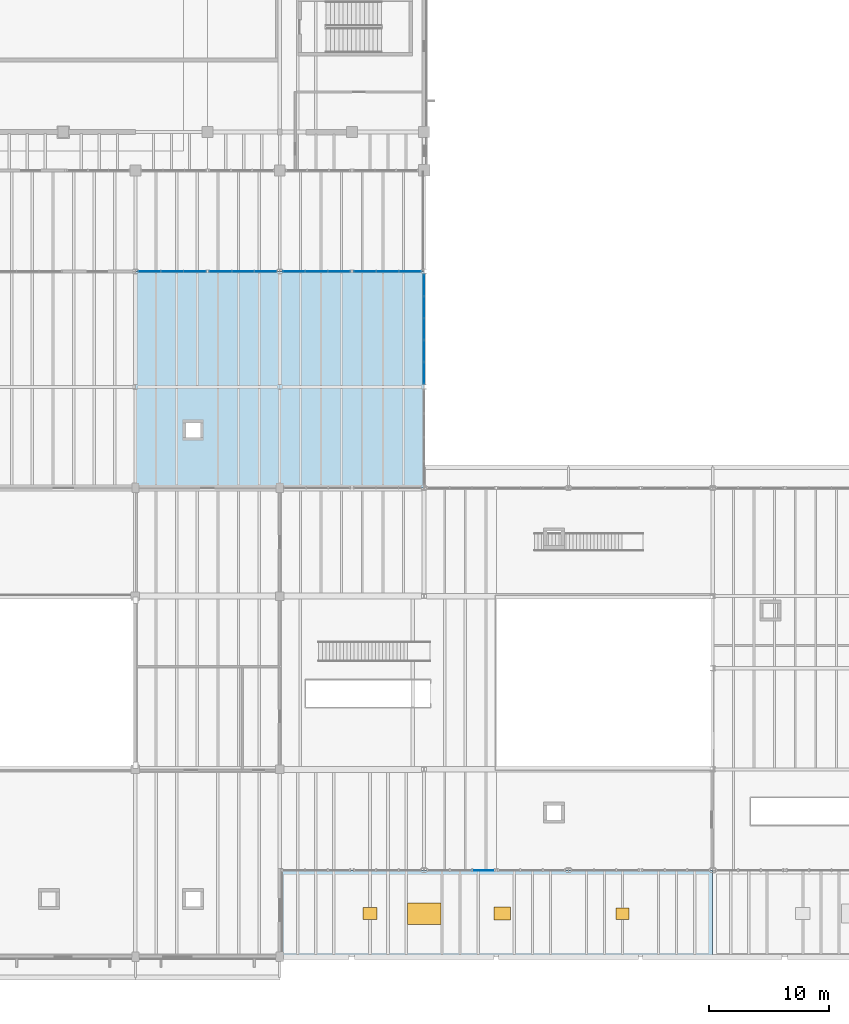
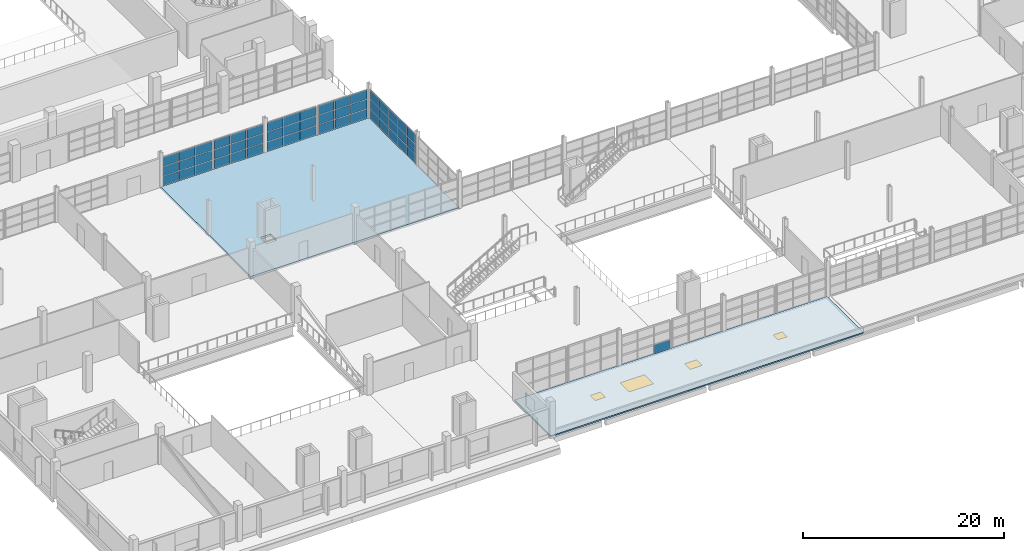
# One storey, part 77 of 114: 52 plates, 3 doors, 2 slabs, 1 window, 4 openings, 6 elements without a shape of their own.
"""IFC4 building model written with IfcOpenShell, lengths in metres."""

from ifc_helpers import new_model, si_unit, direction, frame, origin, origin_2d, place, context, subcontext, project, spatial, polyline, rectangle, outline, extrude, material, layer, layer_set, type_object, element, fill, aggregate, save


model = new_model("IFC4")

# Units and contexts
model_context = context("Model", 3, precision=1e-05, world=origin(), true_north=direction((0.0, 1.0)))
body_context = subcontext(model_context, "Body", "Model", "MODEL_VIEW")
ifc_project = project(units=[si_unit("LENGTHUNIT", "METRE"), si_unit("AREAUNIT", "SQUARE_METRE"), si_unit("VOLUMEUNIT", "CUBIC_METRE"), si_unit("PLANEANGLEUNIT", "RADIAN"), si_unit("MASSUNIT", "GRAM", prefix="KILO")], contexts=[model_context])

# Site, building, storey
site_placement = place(None, origin())
site = spatial("IfcSite", under=ifc_project, at=site_placement, CompositionType="ELEMENT")
building_placement = place(site_placement, origin())
building = spatial("IfcBuilding", under=site, at=building_placement, Name="Kelmvaro Bay Concert Hall", CompositionType="ELEMENT")
storey_placement = place(building_placement, frame((0.0, 0.0, 4.800048828125)))
storey = spatial("IfcBuildingStorey", under=building, at=storey_placement, Name="L01", CompositionType="ELEMENT", Elevation=4.800048828125)

# Slab, openings, doors, window
ifc_material_1 = material(Name="Concrete C40/50", Category="concrete")
ifc_layer_1 = layer(ifc_material_1, 0.169921875)
ifc_layer_set_1 = layer_set([ifc_layer_1], Name="Concrete C40/50")
slab_type_1 = type_object("IfcSlabType", Name="Colonnade Canopy Roof Slab 170", PredefinedType="ROOF", material=ifc_layer_set_1)
slab_1_placement = place(storey_placement, frame((0.0, 0.0, -0.110107421875)))
slab_1 = element("IfcSlab", 1, at=slab_1_placement, inside=storey, type_object=slab_type_1, Name="L01 Roof Slab CN-RW1", PredefinedType="ROOF", context=body_context, shape_type="SweptSolid", body=[
    extrude(outline(polyline([(48.0, 0.0), (84.0, 0.0), (84.0, 7.199951171875), (48.0, 7.199951171875), (48.0, 0.0)])), origin(), (0.0, 0.0, 1.0), 0.170166015625),
])
opening_1_placement = place(slab_1_placement, frame((60.0, 3.60009765625, 0.0)))
opening_1 = element("IfcOpeningElement", 2, at=opening_1_placement, cuts=slab_1, Name="Opening SK-02", PredefinedType="OPENING", context=body_context, shape_type="SweptSolid", body=[
    extrude(rectangle(XDim=2.800048828125, YDim=1.800048828125, at=origin_2d()), origin(), (0.0, 0.0, 1.0), 0.170166015625),
])
opening_2_placement = place(slab_1_placement, frame((55.5, 3.60009765625, 0.0)))
opening_2 = element("IfcOpeningElement", 3, at=opening_2_placement, cuts=slab_1, Name="Opening RH-01", PredefinedType="OPENING", context=body_context, shape_type="SweptSolid", body=[
    extrude(rectangle(XDim=1.199951171875, YDim=1.0, at=origin_2d()), origin(), (0.0, 0.0, 1.0), 0.170166015625),
])
opening_3_placement = place(slab_1_placement, frame((66.5, 3.60009765625, 0.0)))
opening_3 = element("IfcOpeningElement", 4, at=opening_3_placement, cuts=slab_1, Name="Opening RH-02", PredefinedType="OPENING", context=body_context, shape_type="SweptSolid", body=[
    extrude(rectangle(XDim=1.39990234375, YDim=1.10009765625, at=origin_2d()), origin(), (0.0, 0.0, 1.0), 0.170166015625),
])
opening_4_placement = place(slab_1_placement, frame((76.5, 3.60009765625, 0.0)))
opening_4 = element("IfcOpeningElement", 5, at=opening_4_placement, cuts=slab_1, Name="Opening RH-03", PredefinedType="OPENING", context=body_context, shape_type="SweptSolid", body=[
    extrude(rectangle(XDim=1.050048828125, YDim=0.949951171875, at=origin_2d()), origin(), (0.0, 0.0, 1.0), 0.170166015625),
])
ifc_material_2 = material(Name="Insulated Powder-Coated Aluminium", Category="aluminium")
door_type_1 = type_object("IfcDoorType", Name="Canopy Inspection Roof Hatch 1050x950", OperationType="NOTDEFINED", PredefinedType="TRAPDOOR", material=ifc_material_2)
door_1_placement = place(opening_4_placement, frame((0.0, 0.0, 0.1201171875)))
door_1 = element("IfcDoor", 6, at=door_1_placement, inside=storey, type_object=door_type_1, Name="L01 Roof Access Hatch 03", OperationType="SINGLE_SWING_LEFT", OverallHeight=0.949951171875, OverallWidth=1.050048828125, PredefinedType="TRAPDOOR", context=body_context, shape_type="SweptSolid", body=[
    extrude(rectangle(XDim=1.050048828125, YDim=0.949951171875, at=origin_2d()), origin(), (0.0, 0.0, 1.0), 0.050048828125),
])
fill(opening_4, door_1)
ifc_material_3 = material(Name="Hurricane Laminated Insulated Skylight Glazing", Category="glass")
window_type = type_object("IfcWindowType", Name="Concourse Lantern Skylight 2800x1800", PartitioningType="SINGLE_PANEL", PredefinedType="SKYLIGHT", material=ifc_material_3)
window_placement = place(opening_1_placement, frame((0.0, 0.0, 0.1201171875)))
window = element("IfcWindow", 7, at=window_placement, inside=storey, type_object=window_type, Name="L01 Roof Skylight 10", OverallHeight=1.800048828125, OverallWidth=2.800048828125, PartitioningType="SINGLE_PANEL", PredefinedType="SKYLIGHT", context=body_context, shape_type="SweptSolid", body=[
    extrude(rectangle(XDim=2.800048828125, YDim=1.800048828125, at=origin_2d()), origin(), (0.0, 0.0, 1.0), 0.050048828125),
])
fill(opening_1, window)
ifc_material_4 = material(Name="Insulated Powder-Coated Aluminium", Category="aluminium")
door_type_2 = type_object("IfcDoorType", Name="Insulated Roof Maintenance Hatch 1200x1000", OperationType="NOTDEFINED", PredefinedType="TRAPDOOR", material=ifc_material_4)
door_2_placement = place(opening_2_placement, frame((0.0, 0.0, 0.1201171875)))
door_2 = element("IfcDoor", 8, at=door_2_placement, inside=storey, type_object=door_type_2, Name="L01 Roof Access Hatch 01", OperationType="SINGLE_SWING_LEFT", OverallHeight=1.0, OverallWidth=1.199951171875, PredefinedType="TRAPDOOR", context=body_context, shape_type="SweptSolid", body=[
    extrude(rectangle(XDim=1.199951171875, YDim=1.0, at=origin_2d()), origin(), (0.0, 0.0, 1.0), 0.050048828125),
])
fill(opening_2, door_2)
ifc_material_5 = material(Name="Insulated Powder-Coated Aluminium", Category="aluminium")
door_type_3 = type_object("IfcDoorType", Name="Smoke Vent and Roof Access Hatch 1400x1100", OperationType="NOTDEFINED", PredefinedType="TRAPDOOR", material=ifc_material_5)
door_3_placement = place(opening_3_placement, frame((0.0, 0.0, 0.1201171875)))
door_3 = element("IfcDoor", 9, at=door_3_placement, inside=storey, type_object=door_type_3, Name="L01 Roof Access Hatch 02", OperationType="SINGLE_SWING_LEFT", OverallHeight=1.10009765625, OverallWidth=1.39990234375, PredefinedType="TRAPDOOR", context=body_context, shape_type="SweptSolid", body=[
    extrude(rectangle(XDim=1.39990234375, YDim=1.10009765625, at=origin_2d()), origin(), (0.0, 0.0, 1.0), 0.050048828125),
])
fill(opening_3, door_3)

# Curtain wall, plates
ifc_material_6 = material(Name="Anodised Aluminium and Low-E Insulated Glazing", Category="aluminium")
curtain_wall_type_1 = type_object("IfcCurtainWallType", Name="West Link Courtyard Curtain Wall 4000", PredefinedType="USERDEFINED", material=ifc_material_6)
curtain_wall_1_placement = place(storey_placement, origin())
curtain_wall_1 = element("IfcCurtainWall", 10, at=curtain_wall_1_placement, inside=storey, type_object=curtain_wall_type_1, Name="Unitised Curtain Wall CW-L01-131", ObjectType="UNITISED GLAZING", PredefinedType="USERDEFINED")
ifc_material_7 = material(Name="Laminated Low-E Insulated Glass", Category="glass")
ifc_layer_2 = layer(ifc_material_7, 1.85009765625)
ifc_layer_set_2 = layer_set([ifc_layer_2], Name="Laminated Low-E Insulated Glass")
plate_type_1 = type_object("IfcPlateType", Name="Curtain Glazing Panel Low-E 32", PredefinedType="CURTAIN_PANEL", material=ifc_layer_set_2)
plate_1_placement = place(storey_placement, frame((60.0, 55.8466796875, 0.0322265625), z_axis=(0.0, 0.0, 1.0), x_axis=(0.0, -1.0, 0.0)))
plate_1 = element("IfcPlate", 11, at=plate_1_placement, type_object=plate_type_1, Name="CW-L01-131 Insulated Glazing Panel 01-1", PredefinedType="CURTAIN_PANEL", context=body_context, shape_type="SweptSolid", body=[
    extrude(rectangle(XDim=1.75830078125, YDim=0.031982421875, at=origin_2d()), origin(), (0.0, 0.0, 1.0), 1.144775390625),
])
plate_2_placement = place(storey_placement, frame((60.0, 55.8466796875, 1.2421875), z_axis=(0.0, 0.0, 1.0), x_axis=(0.0, -1.0, 0.0)))
plate_2 = element("IfcPlate", 12, at=plate_2_placement, type_object=plate_type_1, Name="CW-L01-131 Insulated Glazing Panel 01-2", PredefinedType="CURTAIN_PANEL", context=body_context, shape_type="SweptSolid", body=[
    extrude(rectangle(XDim=1.75830078125, YDim=0.031982421875, at=origin_2d()), origin(), (0.0, 0.0, 1.0), 1.14453125),
])
plate_3_placement = place(storey_placement, frame((60.0, 55.8466796875, 2.45166015625), z_axis=(0.0, 0.0, 1.0), x_axis=(0.0, -1.0, 0.0)))
plate_3 = element("IfcPlate", 13, at=plate_3_placement, type_object=plate_type_1, Name="CW-L01-131 Insulated Glazing Panel 01-3", PredefinedType="CURTAIN_PANEL", context=body_context, shape_type="SweptSolid", body=[
    extrude(rectangle(XDim=1.75830078125, YDim=0.031982421875, at=origin_2d()), origin(), (0.0, 0.0, 1.0), 1.144775390625),
])
plate_4_placement = place(storey_placement, frame((60.0, 54.0234375, 0.0322265625), z_axis=(0.0, 0.0, 1.0), x_axis=(0.0, -1.0, 0.0)))
plate_4 = element("IfcPlate", 14, at=plate_4_placement, type_object=plate_type_1, Name="CW-L01-131 Insulated Glazing Panel 02-1", PredefinedType="CURTAIN_PANEL", context=body_context, shape_type="SweptSolid", body=[
    extrude(rectangle(XDim=1.75830078125, YDim=0.031982421875, at=origin_2d()), origin(), (0.0, 0.0, 1.0), 1.144775390625),
])
plate_5_placement = place(storey_placement, frame((60.0, 54.0234375, 1.2421875), z_axis=(0.0, 0.0, 1.0), x_axis=(0.0, -1.0, 0.0)))
plate_5 = element("IfcPlate", 15, at=plate_5_placement, type_object=plate_type_1, Name="CW-L01-131 Insulated Glazing Panel 02-2", PredefinedType="CURTAIN_PANEL", context=body_context, shape_type="SweptSolid", body=[
    extrude(rectangle(XDim=1.75830078125, YDim=0.031982421875, at=origin_2d()), origin(), (0.0, 0.0, 1.0), 1.14453125),
])
plate_6_placement = place(storey_placement, frame((60.0, 54.0234375, 2.45166015625), z_axis=(0.0, 0.0, 1.0), x_axis=(0.0, -1.0, 0.0)))
plate_6 = element("IfcPlate", 16, at=plate_6_placement, type_object=plate_type_1, Name="CW-L01-131 Insulated Glazing Panel 02-3", PredefinedType="CURTAIN_PANEL", context=body_context, shape_type="SweptSolid", body=[
    extrude(rectangle(XDim=1.75830078125, YDim=0.031982421875, at=origin_2d()), origin(), (0.0, 0.0, 1.0), 1.144775390625),
])
plate_7_placement = place(storey_placement, frame((60.0, 52.199951171875, 0.0322265625), z_axis=(0.0, 0.0, 1.0), x_axis=(0.0, -1.0, 0.0)))
plate_7 = element("IfcPlate", 17, at=plate_7_placement, type_object=plate_type_1, Name="CW-L01-131 Insulated Glazing Panel 03-1", PredefinedType="CURTAIN_PANEL", context=body_context, shape_type="SweptSolid", body=[
    extrude(rectangle(XDim=1.75830078125, YDim=0.031982421875, at=origin_2d()), origin(), (0.0, 0.0, 1.0), 1.144775390625),
])
plate_8_placement = place(storey_placement, frame((60.0, 52.199951171875, 1.2421875), z_axis=(0.0, 0.0, 1.0), x_axis=(0.0, -1.0, 0.0)))
plate_8 = element("IfcPlate", 18, at=plate_8_placement, type_object=plate_type_1, Name="CW-L01-131 Insulated Glazing Panel 03-2", PredefinedType="CURTAIN_PANEL", context=body_context, shape_type="SweptSolid", body=[
    extrude(rectangle(XDim=1.75830078125, YDim=0.031982421875, at=origin_2d()), origin(), (0.0, 0.0, 1.0), 1.14453125),
])
plate_9_placement = place(storey_placement, frame((60.0, 52.199951171875, 2.45166015625), z_axis=(0.0, 0.0, 1.0), x_axis=(0.0, -1.0, 0.0)))
plate_9 = element("IfcPlate", 19, at=plate_9_placement, type_object=plate_type_1, Name="CW-L01-131 Insulated Glazing Panel 03-3", PredefinedType="CURTAIN_PANEL", context=body_context, shape_type="SweptSolid", body=[
    extrude(rectangle(XDim=1.75830078125, YDim=0.031982421875, at=origin_2d()), origin(), (0.0, 0.0, 1.0), 1.144775390625),
])
plate_10_placement = place(storey_placement, frame((60.0, 50.376708984375, 0.0322265625), z_axis=(0.0, 0.0, 1.0), x_axis=(0.0, -1.0, 0.0)))
plate_10 = element("IfcPlate", 20, at=plate_10_placement, type_object=plate_type_1, Name="CW-L01-131 Insulated Glazing Panel 04-1", PredefinedType="CURTAIN_PANEL", context=body_context, shape_type="SweptSolid", body=[
    extrude(rectangle(XDim=1.75830078125, YDim=0.031982421875, at=origin_2d()), origin(), (0.0, 0.0, 1.0), 1.144775390625),
])
plate_11_placement = place(storey_placement, frame((60.0, 50.376708984375, 1.2421875), z_axis=(0.0, 0.0, 1.0), x_axis=(0.0, -1.0, 0.0)))
plate_11 = element("IfcPlate", 21, at=plate_11_placement, type_object=plate_type_1, Name="CW-L01-131 Insulated Glazing Panel 04-2", PredefinedType="CURTAIN_PANEL", context=body_context, shape_type="SweptSolid", body=[
    extrude(rectangle(XDim=1.75830078125, YDim=0.031982421875, at=origin_2d()), origin(), (0.0, 0.0, 1.0), 1.14453125),
])
plate_12_placement = place(storey_placement, frame((60.0, 50.376708984375, 2.45166015625), z_axis=(0.0, 0.0, 1.0), x_axis=(0.0, -1.0, 0.0)))
plate_12 = element("IfcPlate", 22, at=plate_12_placement, type_object=plate_type_1, Name="CW-L01-131 Insulated Glazing Panel 04-3", PredefinedType="CURTAIN_PANEL", context=body_context, shape_type="SweptSolid", body=[
    extrude(rectangle(XDim=1.75830078125, YDim=0.031982421875, at=origin_2d()), origin(), (0.0, 0.0, 1.0), 1.144775390625),
])
plate_13_placement = place(storey_placement, frame((60.0, 48.55322265625, 0.0322265625), z_axis=(0.0, 0.0, 1.0), x_axis=(0.0, -1.0, 0.0)))
plate_13 = element("IfcPlate", 23, at=plate_13_placement, type_object=plate_type_1, Name="CW-L01-131 Insulated Glazing Panel 05-1", PredefinedType="CURTAIN_PANEL", context=body_context, shape_type="SweptSolid", body=[
    extrude(rectangle(XDim=1.75830078125, YDim=0.031982421875, at=origin_2d()), origin(), (0.0, 0.0, 1.0), 1.144775390625),
])
plate_14_placement = place(storey_placement, frame((60.0, 48.55322265625, 1.2421875), z_axis=(0.0, 0.0, 1.0), x_axis=(0.0, -1.0, 0.0)))
plate_14 = element("IfcPlate", 24, at=plate_14_placement, type_object=plate_type_1, Name="CW-L01-131 Insulated Glazing Panel 05-2", PredefinedType="CURTAIN_PANEL", context=body_context, shape_type="SweptSolid", body=[
    extrude(rectangle(XDim=1.75830078125, YDim=0.031982421875, at=origin_2d()), origin(), (0.0, 0.0, 1.0), 1.14453125),
])
plate_15_placement = place(storey_placement, frame((60.0, 48.55322265625, 2.45166015625), z_axis=(0.0, 0.0, 1.0), x_axis=(0.0, -1.0, 0.0)))
plate_15 = element("IfcPlate", 25, at=plate_15_placement, type_object=plate_type_1, Name="CW-L01-131 Insulated Glazing Panel 05-3", PredefinedType="CURTAIN_PANEL", context=body_context, shape_type="SweptSolid", body=[
    extrude(rectangle(XDim=1.75830078125, YDim=0.031982421875, at=origin_2d()), origin(), (0.0, 0.0, 1.0), 1.144775390625),
])
aggregate(curtain_wall_1, [plate_1, plate_2, plate_3, plate_4, plate_5, plate_6, plate_7, plate_8, plate_9, plate_10, plate_11, plate_12, plate_13, plate_14, plate_15])

curtain_wall_2_placement = place(storey_placement, origin())
curtain_wall_2 = element("IfcCurtainWall", 26, at=curtain_wall_2_placement, inside=storey, type_object=curtain_wall_type_1, Name="Unitised Curtain Wall CW-L01-138", ObjectType="UNITISED GLAZING", PredefinedType="USERDEFINED")
plate_16_placement = place(storey_placement, frame((37.177978515625, 57.0, 0.032470703125), z_axis=(0.0, 0.0, 1.0), x_axis=(1.0, 0.0, 0.0)))
plate_16 = element("IfcPlate", 27, at=plate_16_placement, type_object=plate_type_1, Name="CW-L01-138 Insulated Glazing Panel 01-1", PredefinedType="CURTAIN_PANEL", context=body_context, shape_type="SweptSolid", body=[
    extrude(rectangle(XDim=1.807861328125, YDim=0.031982421875, at=origin_2d()), origin(), (0.0, 0.0, 1.0), 1.1171875),
])
plate_17_placement = place(storey_placement, frame((37.177978515625, 57.0, 1.21484375), z_axis=(0.0, 0.0, 1.0), x_axis=(1.0, 0.0, 0.0)))
plate_17 = element("IfcPlate", 28, at=plate_17_placement, type_object=plate_type_1, Name="CW-L01-138 Insulated Glazing Panel 01-2", PredefinedType="CURTAIN_PANEL", context=body_context, shape_type="SweptSolid", body=[
    extrude(rectangle(XDim=1.807861328125, YDim=0.031982421875, at=origin_2d()), origin(), (0.0, 0.0, 1.0), 1.117431640625),
])
plate_18_placement = place(storey_placement, frame((37.177978515625, 57.0, 2.397216796875), z_axis=(0.0, 0.0, 1.0), x_axis=(1.0, 0.0, 0.0)))
plate_18 = element("IfcPlate", 29, at=plate_18_placement, type_object=plate_type_1, Name="CW-L01-138 Insulated Glazing Panel 01-3", PredefinedType="CURTAIN_PANEL", context=body_context, shape_type="SweptSolid", body=[
    extrude(rectangle(XDim=1.807861328125, YDim=0.031982421875, at=origin_2d()), origin(), (0.0, 0.0, 1.0), 1.1171875),
])
plate_19_placement = place(storey_placement, frame((39.05078125, 57.0, 0.032470703125), z_axis=(0.0, 0.0, 1.0), x_axis=(1.0, 0.0, 0.0)))
plate_19 = element("IfcPlate", 30, at=plate_19_placement, type_object=plate_type_1, Name="CW-L01-138 Insulated Glazing Panel 02-1", PredefinedType="CURTAIN_PANEL", context=body_context, shape_type="SweptSolid", body=[
    extrude(rectangle(XDim=1.807861328125, YDim=0.031982421875, at=origin_2d()), origin(), (0.0, 0.0, 1.0), 1.1171875),
])
plate_20_placement = place(storey_placement, frame((39.05078125, 57.0, 1.21484375), z_axis=(0.0, 0.0, 1.0), x_axis=(1.0, 0.0, 0.0)))
plate_20 = element("IfcPlate", 31, at=plate_20_placement, type_object=plate_type_1, Name="CW-L01-138 Insulated Glazing Panel 02-2", PredefinedType="CURTAIN_PANEL", context=body_context, shape_type="SweptSolid", body=[
    extrude(rectangle(XDim=1.807861328125, YDim=0.031982421875, at=origin_2d()), origin(), (0.0, 0.0, 1.0), 1.117431640625),
])
plate_21_placement = place(storey_placement, frame((39.05078125, 57.0, 2.397216796875), z_axis=(0.0, 0.0, 1.0), x_axis=(1.0, 0.0, 0.0)))
plate_21 = element("IfcPlate", 32, at=plate_21_placement, type_object=plate_type_1, Name="CW-L01-138 Insulated Glazing Panel 02-3", PredefinedType="CURTAIN_PANEL", context=body_context, shape_type="SweptSolid", body=[
    extrude(rectangle(XDim=1.807861328125, YDim=0.031982421875, at=origin_2d()), origin(), (0.0, 0.0, 1.0), 1.1171875),
])
plate_22_placement = place(storey_placement, frame((40.923583984375, 57.0, 0.032470703125), z_axis=(0.0, 0.0, 1.0), x_axis=(1.0, 0.0, 0.0)))
plate_22 = element("IfcPlate", 33, at=plate_22_placement, type_object=plate_type_1, Name="CW-L01-138 Insulated Glazing Panel 03-1", PredefinedType="CURTAIN_PANEL", context=body_context, shape_type="SweptSolid", body=[
    extrude(rectangle(XDim=1.807861328125, YDim=0.031982421875, at=origin_2d()), origin(), (0.0, 0.0, 1.0), 1.1171875),
])
plate_23_placement = place(storey_placement, frame((40.923583984375, 57.0, 1.21484375), z_axis=(0.0, 0.0, 1.0), x_axis=(1.0, 0.0, 0.0)))
plate_23 = element("IfcPlate", 34, at=plate_23_placement, type_object=plate_type_1, Name="CW-L01-138 Insulated Glazing Panel 03-2", PredefinedType="CURTAIN_PANEL", context=body_context, shape_type="SweptSolid", body=[
    extrude(rectangle(XDim=1.807861328125, YDim=0.031982421875, at=origin_2d()), origin(), (0.0, 0.0, 1.0), 1.117431640625),
])
plate_24_placement = place(storey_placement, frame((40.923583984375, 57.0, 2.397216796875), z_axis=(0.0, 0.0, 1.0), x_axis=(1.0, 0.0, 0.0)))
plate_24 = element("IfcPlate", 35, at=plate_24_placement, type_object=plate_type_1, Name="CW-L01-138 Insulated Glazing Panel 03-3", PredefinedType="CURTAIN_PANEL", context=body_context, shape_type="SweptSolid", body=[
    extrude(rectangle(XDim=1.807861328125, YDim=0.031982421875, at=origin_2d()), origin(), (0.0, 0.0, 1.0), 1.1171875),
])
aggregate(curtain_wall_2, [plate_16, plate_17, plate_18, plate_19, plate_20, plate_21, plate_22, plate_23, plate_24])

curtain_wall_3_placement = place(storey_placement, origin())
curtain_wall_3 = element("IfcCurtainWall", 36, at=curtain_wall_3_placement, inside=storey, type_object=curtain_wall_type_1, Name="Unitised Curtain Wall CW-L01-139", ObjectType="UNITISED GLAZING", PredefinedType="USERDEFINED")
plate_25_placement = place(storey_placement, frame((43.076416015625, 57.0, 0.032470703125), z_axis=(0.0, 0.0, 1.0), x_axis=(1.0, 0.0, 0.0)))
plate_25 = element("IfcPlate", 37, at=plate_25_placement, type_object=plate_type_1, Name="CW-L01-139 Insulated Glazing Panel 01-1", PredefinedType="CURTAIN_PANEL", context=body_context, shape_type="SweptSolid", body=[
    extrude(rectangle(XDim=1.807861328125, YDim=0.031982421875, at=origin_2d()), origin(), (0.0, 0.0, 1.0), 1.1171875),
])
plate_26_placement = place(storey_placement, frame((43.076416015625, 57.0, 1.21484375), z_axis=(0.0, 0.0, 1.0), x_axis=(1.0, 0.0, 0.0)))
plate_26 = element("IfcPlate", 38, at=plate_26_placement, type_object=plate_type_1, Name="CW-L01-139 Insulated Glazing Panel 01-2", PredefinedType="CURTAIN_PANEL", context=body_context, shape_type="SweptSolid", body=[
    extrude(rectangle(XDim=1.807861328125, YDim=0.031982421875, at=origin_2d()), origin(), (0.0, 0.0, 1.0), 1.117431640625),
])
plate_27_placement = place(storey_placement, frame((43.076416015625, 57.0, 2.397216796875), z_axis=(0.0, 0.0, 1.0), x_axis=(1.0, 0.0, 0.0)))
plate_27 = element("IfcPlate", 39, at=plate_27_placement, type_object=plate_type_1, Name="CW-L01-139 Insulated Glazing Panel 01-3", PredefinedType="CURTAIN_PANEL", context=body_context, shape_type="SweptSolid", body=[
    extrude(rectangle(XDim=1.807861328125, YDim=0.031982421875, at=origin_2d()), origin(), (0.0, 0.0, 1.0), 1.1171875),
])
plate_28_placement = place(storey_placement, frame((44.94921875, 57.0, 0.032470703125), z_axis=(0.0, 0.0, 1.0), x_axis=(1.0, 0.0, 0.0)))
plate_28 = element("IfcPlate", 40, at=plate_28_placement, type_object=plate_type_1, Name="CW-L01-139 Insulated Glazing Panel 02-1", PredefinedType="CURTAIN_PANEL", context=body_context, shape_type="SweptSolid", body=[
    extrude(rectangle(XDim=1.807861328125, YDim=0.031982421875, at=origin_2d()), origin(), (0.0, 0.0, 1.0), 1.1171875),
])
plate_29_placement = place(storey_placement, frame((44.94921875, 57.0, 1.21484375), z_axis=(0.0, 0.0, 1.0), x_axis=(1.0, 0.0, 0.0)))
plate_29 = element("IfcPlate", 41, at=plate_29_placement, type_object=plate_type_1, Name="CW-L01-139 Insulated Glazing Panel 02-2", PredefinedType="CURTAIN_PANEL", context=body_context, shape_type="SweptSolid", body=[
    extrude(rectangle(XDim=1.807861328125, YDim=0.031982421875, at=origin_2d()), origin(), (0.0, 0.0, 1.0), 1.117431640625),
])
plate_30_placement = place(storey_placement, frame((44.94921875, 57.0, 2.397216796875), z_axis=(0.0, 0.0, 1.0), x_axis=(1.0, 0.0, 0.0)))
plate_30 = element("IfcPlate", 42, at=plate_30_placement, type_object=plate_type_1, Name="CW-L01-139 Insulated Glazing Panel 02-3", PredefinedType="CURTAIN_PANEL", context=body_context, shape_type="SweptSolid", body=[
    extrude(rectangle(XDim=1.807861328125, YDim=0.031982421875, at=origin_2d()), origin(), (0.0, 0.0, 1.0), 1.1171875),
])
plate_31_placement = place(storey_placement, frame((46.822021484375, 57.0, 0.032470703125), z_axis=(0.0, 0.0, 1.0), x_axis=(1.0, 0.0, 0.0)))
plate_31 = element("IfcPlate", 43, at=plate_31_placement, type_object=plate_type_1, Name="CW-L01-139 Insulated Glazing Panel 03-1", PredefinedType="CURTAIN_PANEL", context=body_context, shape_type="SweptSolid", body=[
    extrude(rectangle(XDim=1.807861328125, YDim=0.031982421875, at=origin_2d()), origin(), (0.0, 0.0, 1.0), 1.1171875),
])
plate_32_placement = place(storey_placement, frame((46.822021484375, 57.0, 1.21484375), z_axis=(0.0, 0.0, 1.0), x_axis=(1.0, 0.0, 0.0)))
plate_32 = element("IfcPlate", 44, at=plate_32_placement, type_object=plate_type_1, Name="CW-L01-139 Insulated Glazing Panel 03-2", PredefinedType="CURTAIN_PANEL", context=body_context, shape_type="SweptSolid", body=[
    extrude(rectangle(XDim=1.807861328125, YDim=0.031982421875, at=origin_2d()), origin(), (0.0, 0.0, 1.0), 1.117431640625),
])
plate_33_placement = place(storey_placement, frame((46.822021484375, 57.0, 2.397216796875), z_axis=(0.0, 0.0, 1.0), x_axis=(1.0, 0.0, 0.0)))
plate_33 = element("IfcPlate", 45, at=plate_33_placement, type_object=plate_type_1, Name="CW-L01-139 Insulated Glazing Panel 03-3", PredefinedType="CURTAIN_PANEL", context=body_context, shape_type="SweptSolid", body=[
    extrude(rectangle(XDim=1.807861328125, YDim=0.031982421875, at=origin_2d()), origin(), (0.0, 0.0, 1.0), 1.1171875),
])
aggregate(curtain_wall_3, [plate_25, plate_26, plate_27, plate_28, plate_29, plate_30, plate_31, plate_32, plate_33])

curtain_wall_4_placement = place(storey_placement, origin())
curtain_wall_4 = element("IfcCurtainWall", 46, at=curtain_wall_4_placement, inside=storey, type_object=curtain_wall_type_1, Name="Unitised Curtain Wall CW-L01-140", ObjectType="UNITISED GLAZING", PredefinedType="USERDEFINED")
plate_34_placement = place(storey_placement, frame((49.177978515625, 57.0, 0.032470703125), z_axis=(0.0, 0.0, 1.0), x_axis=(1.0, 0.0, 0.0)))
plate_34 = element("IfcPlate", 47, at=plate_34_placement, type_object=plate_type_1, Name="CW-L01-140 Insulated Glazing Panel 01-1", PredefinedType="CURTAIN_PANEL", context=body_context, shape_type="SweptSolid", body=[
    extrude(rectangle(XDim=1.807861328125, YDim=0.031982421875, at=origin_2d()), origin(), (0.0, 0.0, 1.0), 1.1171875),
])
plate_35_placement = place(storey_placement, frame((49.177978515625, 57.0, 1.21484375), z_axis=(0.0, 0.0, 1.0), x_axis=(1.0, 0.0, 0.0)))
plate_35 = element("IfcPlate", 48, at=plate_35_placement, type_object=plate_type_1, Name="CW-L01-140 Insulated Glazing Panel 01-2", PredefinedType="CURTAIN_PANEL", context=body_context, shape_type="SweptSolid", body=[
    extrude(rectangle(XDim=1.807861328125, YDim=0.031982421875, at=origin_2d()), origin(), (0.0, 0.0, 1.0), 1.117431640625),
])
plate_36_placement = place(storey_placement, frame((49.177978515625, 57.0, 2.397216796875), z_axis=(0.0, 0.0, 1.0), x_axis=(1.0, 0.0, 0.0)))
plate_36 = element("IfcPlate", 49, at=plate_36_placement, type_object=plate_type_1, Name="CW-L01-140 Insulated Glazing Panel 01-3", PredefinedType="CURTAIN_PANEL", context=body_context, shape_type="SweptSolid", body=[
    extrude(rectangle(XDim=1.807861328125, YDim=0.031982421875, at=origin_2d()), origin(), (0.0, 0.0, 1.0), 1.1171875),
])
plate_37_placement = place(storey_placement, frame((51.05078125, 57.0, 0.032470703125), z_axis=(0.0, 0.0, 1.0), x_axis=(1.0, 0.0, 0.0)))
plate_37 = element("IfcPlate", 50, at=plate_37_placement, type_object=plate_type_1, Name="CW-L01-140 Insulated Glazing Panel 02-1", PredefinedType="CURTAIN_PANEL", context=body_context, shape_type="SweptSolid", body=[
    extrude(rectangle(XDim=1.807861328125, YDim=0.031982421875, at=origin_2d()), origin(), (0.0, 0.0, 1.0), 1.1171875),
])
plate_38_placement = place(storey_placement, frame((51.05078125, 57.0, 1.21484375), z_axis=(0.0, 0.0, 1.0), x_axis=(1.0, 0.0, 0.0)))
plate_38 = element("IfcPlate", 51, at=plate_38_placement, type_object=plate_type_1, Name="CW-L01-140 Insulated Glazing Panel 02-2", PredefinedType="CURTAIN_PANEL", context=body_context, shape_type="SweptSolid", body=[
    extrude(rectangle(XDim=1.807861328125, YDim=0.031982421875, at=origin_2d()), origin(), (0.0, 0.0, 1.0), 1.117431640625),
])
plate_39_placement = place(storey_placement, frame((51.05078125, 57.0, 2.397216796875), z_axis=(0.0, 0.0, 1.0), x_axis=(1.0, 0.0, 0.0)))
plate_39 = element("IfcPlate", 52, at=plate_39_placement, type_object=plate_type_1, Name="CW-L01-140 Insulated Glazing Panel 02-3", PredefinedType="CURTAIN_PANEL", context=body_context, shape_type="SweptSolid", body=[
    extrude(rectangle(XDim=1.807861328125, YDim=0.031982421875, at=origin_2d()), origin(), (0.0, 0.0, 1.0), 1.1171875),
])
plate_40_placement = place(storey_placement, frame((52.923583984375, 57.0, 0.032470703125), z_axis=(0.0, 0.0, 1.0), x_axis=(1.0, 0.0, 0.0)))
plate_40 = element("IfcPlate", 53, at=plate_40_placement, type_object=plate_type_1, Name="CW-L01-140 Insulated Glazing Panel 03-1", PredefinedType="CURTAIN_PANEL", context=body_context, shape_type="SweptSolid", body=[
    extrude(rectangle(XDim=1.807861328125, YDim=0.031982421875, at=origin_2d()), origin(), (0.0, 0.0, 1.0), 1.1171875),
])
plate_41_placement = place(storey_placement, frame((52.923583984375, 57.0, 1.21484375), z_axis=(0.0, 0.0, 1.0), x_axis=(1.0, 0.0, 0.0)))
plate_41 = element("IfcPlate", 54, at=plate_41_placement, type_object=plate_type_1, Name="CW-L01-140 Insulated Glazing Panel 03-2", PredefinedType="CURTAIN_PANEL", context=body_context, shape_type="SweptSolid", body=[
    extrude(rectangle(XDim=1.807861328125, YDim=0.031982421875, at=origin_2d()), origin(), (0.0, 0.0, 1.0), 1.117431640625),
])
plate_42_placement = place(storey_placement, frame((52.923583984375, 57.0, 2.397216796875), z_axis=(0.0, 0.0, 1.0), x_axis=(1.0, 0.0, 0.0)))
plate_42 = element("IfcPlate", 55, at=plate_42_placement, type_object=plate_type_1, Name="CW-L01-140 Insulated Glazing Panel 03-3", PredefinedType="CURTAIN_PANEL", context=body_context, shape_type="SweptSolid", body=[
    extrude(rectangle(XDim=1.807861328125, YDim=0.031982421875, at=origin_2d()), origin(), (0.0, 0.0, 1.0), 1.1171875),
])
aggregate(curtain_wall_4, [plate_34, plate_35, plate_36, plate_37, plate_38, plate_39, plate_40, plate_41, plate_42])

curtain_wall_5_placement = place(storey_placement, origin())
curtain_wall_5 = element("IfcCurtainWall", 56, at=curtain_wall_5_placement, inside=storey, type_object=curtain_wall_type_1, Name="Unitised Curtain Wall CW-L01-141", ObjectType="UNITISED GLAZING", PredefinedType="USERDEFINED")
plate_43_placement = place(storey_placement, frame((55.076416015625, 57.0, 0.032470703125), z_axis=(0.0, 0.0, 1.0), x_axis=(1.0, 0.0, 0.0)))
plate_43 = element("IfcPlate", 57, at=plate_43_placement, type_object=plate_type_1, Name="CW-L01-141 Insulated Glazing Panel 01-1", PredefinedType="CURTAIN_PANEL", context=body_context, shape_type="SweptSolid", body=[
    extrude(rectangle(XDim=1.807861328125, YDim=0.031982421875, at=origin_2d()), origin(), (0.0, 0.0, 1.0), 1.1171875),
])
plate_44_placement = place(storey_placement, frame((55.076416015625, 57.0, 1.21484375), z_axis=(0.0, 0.0, 1.0), x_axis=(1.0, 0.0, 0.0)))
plate_44 = element("IfcPlate", 58, at=plate_44_placement, type_object=plate_type_1, Name="CW-L01-141 Insulated Glazing Panel 01-2", PredefinedType="CURTAIN_PANEL", context=body_context, shape_type="SweptSolid", body=[
    extrude(rectangle(XDim=1.807861328125, YDim=0.031982421875, at=origin_2d()), origin(), (0.0, 0.0, 1.0), 1.117431640625),
])
plate_45_placement = place(storey_placement, frame((55.076416015625, 57.0, 2.397216796875), z_axis=(0.0, 0.0, 1.0), x_axis=(1.0, 0.0, 0.0)))
plate_45 = element("IfcPlate", 59, at=plate_45_placement, type_object=plate_type_1, Name="CW-L01-141 Insulated Glazing Panel 01-3", PredefinedType="CURTAIN_PANEL", context=body_context, shape_type="SweptSolid", body=[
    extrude(rectangle(XDim=1.807861328125, YDim=0.031982421875, at=origin_2d()), origin(), (0.0, 0.0, 1.0), 1.1171875),
])
plate_46_placement = place(storey_placement, frame((56.94921875, 57.0, 0.032470703125), z_axis=(0.0, 0.0, 1.0), x_axis=(1.0, 0.0, 0.0)))
plate_46 = element("IfcPlate", 60, at=plate_46_placement, type_object=plate_type_1, Name="CW-L01-141 Insulated Glazing Panel 02-1", PredefinedType="CURTAIN_PANEL", context=body_context, shape_type="SweptSolid", body=[
    extrude(rectangle(XDim=1.807861328125, YDim=0.031982421875, at=origin_2d()), origin(), (0.0, 0.0, 1.0), 1.1171875),
])
plate_47_placement = place(storey_placement, frame((56.94921875, 57.0, 1.21484375), z_axis=(0.0, 0.0, 1.0), x_axis=(1.0, 0.0, 0.0)))
plate_47 = element("IfcPlate", 61, at=plate_47_placement, type_object=plate_type_1, Name="CW-L01-141 Insulated Glazing Panel 02-2", PredefinedType="CURTAIN_PANEL", context=body_context, shape_type="SweptSolid", body=[
    extrude(rectangle(XDim=1.807861328125, YDim=0.031982421875, at=origin_2d()), origin(), (0.0, 0.0, 1.0), 1.117431640625),
])
plate_48_placement = place(storey_placement, frame((56.94921875, 57.0, 2.397216796875), z_axis=(0.0, 0.0, 1.0), x_axis=(1.0, 0.0, 0.0)))
plate_48 = element("IfcPlate", 62, at=plate_48_placement, type_object=plate_type_1, Name="CW-L01-141 Insulated Glazing Panel 02-3", PredefinedType="CURTAIN_PANEL", context=body_context, shape_type="SweptSolid", body=[
    extrude(rectangle(XDim=1.807861328125, YDim=0.031982421875, at=origin_2d()), origin(), (0.0, 0.0, 1.0), 1.1171875),
])
plate_49_placement = place(storey_placement, frame((58.822021484375, 57.0, 0.032470703125), z_axis=(0.0, 0.0, 1.0), x_axis=(1.0, 0.0, 0.0)))
plate_49 = element("IfcPlate", 63, at=plate_49_placement, type_object=plate_type_1, Name="CW-L01-141 Insulated Glazing Panel 03-1", PredefinedType="CURTAIN_PANEL", context=body_context, shape_type="SweptSolid", body=[
    extrude(rectangle(XDim=1.807861328125, YDim=0.031982421875, at=origin_2d()), origin(), (0.0, 0.0, 1.0), 1.1171875),
])
plate_50_placement = place(storey_placement, frame((58.822021484375, 57.0, 1.21484375), z_axis=(0.0, 0.0, 1.0), x_axis=(1.0, 0.0, 0.0)))
plate_50 = element("IfcPlate", 64, at=plate_50_placement, type_object=plate_type_1, Name="CW-L01-141 Insulated Glazing Panel 03-2", PredefinedType="CURTAIN_PANEL", context=body_context, shape_type="SweptSolid", body=[
    extrude(rectangle(XDim=1.807861328125, YDim=0.031982421875, at=origin_2d()), origin(), (0.0, 0.0, 1.0), 1.117431640625),
])
plate_51_placement = place(storey_placement, frame((58.822021484375, 57.0, 2.397216796875), z_axis=(0.0, 0.0, 1.0), x_axis=(1.0, 0.0, 0.0)))
plate_51 = element("IfcPlate", 65, at=plate_51_placement, type_object=plate_type_1, Name="CW-L01-141 Insulated Glazing Panel 03-3", PredefinedType="CURTAIN_PANEL", context=body_context, shape_type="SweptSolid", body=[
    extrude(rectangle(XDim=1.807861328125, YDim=0.031982421875, at=origin_2d()), origin(), (0.0, 0.0, 1.0), 1.1171875),
])
aggregate(curtain_wall_5, [plate_43, plate_44, plate_45, plate_46, plate_47, plate_48, plate_49, plate_50, plate_51])

# Curtain wall, plate
ifc_material_8 = material(Name="Anodised Aluminium and Low-E Insulated Glazing", Category="aluminium")
curtain_wall_type_2 = type_object("IfcCurtainWallType", Name="Mezzanine Concourse Curtain Wall 4100", PredefinedType="USERDEFINED", material=ifc_material_8)
curtain_wall_6_placement = place(storey_placement, origin())
curtain_wall_6 = element("IfcCurtainWall", 66, at=curtain_wall_6_placement, inside=storey, type_object=curtain_wall_type_2, Name="Unitised Curtain Wall CW-L01-057", ObjectType="UNITISED GLAZING", PredefinedType="USERDEFINED")
ifc_material_9 = material(Name="Laminated Low-E Insulated Glass", Category="glass")
ifc_layer_3 = layer(ifc_material_9, 1.85009765625)
ifc_layer_set_3 = layer_set([ifc_layer_3], Name="Laminated Low-E Insulated Glass")
plate_type_2 = type_object("IfcPlateType", Name="High-Impact Waterfront Glazing Panel 50", PredefinedType="CURTAIN_PANEL", material=ifc_layer_set_3)
plate_52_placement = place(storey_placement, frame((64.92578125, 7.199951171875, 0.0322265625), z_axis=(0.0, 0.0, 1.0), x_axis=(-1.0, 0.0, 0.0)))
plate_52 = element("IfcPlate", 67, at=plate_52_placement, type_object=plate_type_2, Name="CW-L01-057 Insulated Glazing Panel 01-1", PredefinedType="CURTAIN_PANEL", context=body_context, shape_type="SweptSolid", body=[
    extrude(rectangle(XDim=1.803466796875, YDim=0.050048828125, at=origin_2d()), origin(), (0.0, 0.0, 1.0), 1.114013671875),
])
aggregate(curtain_wall_6, [plate_52])

# Slab
ifc_material_10 = material(Name="Concrete C40/50", Category="concrete")
ifc_layer_4 = layer(ifc_material_10, 0.25)
ifc_layer_set_4 = layer_set([ifc_layer_4], Name="Concrete C40/50")
slab_type_2 = type_object("IfcSlabType", Name="Suspended Concourse Floor Slab 250", PredefinedType="FLOOR", material=ifc_layer_set_4)
slab_2_placement = place(storey_placement, frame((0.0, 0.0, -0.25)))
element("IfcSlab", 68, at=slab_2_placement, inside=storey, type_object=slab_type_2, Name="L01 Structural Slab V5-W2", PredefinedType="FLOOR", context=body_context, shape_type="SweptSolid", body=[
    extrude(outline(polyline([(36.0, 39.0), (60.0, 39.0), (60.0, 57.0), (36.0, 57.0), (36.0, 39.0)]), holes=[polyline([(40.199951171875, 43.199951171875), (41.39990234375, 43.199951171875), (41.39990234375, 44.39990234375), (40.199951171875, 44.39990234375), (40.199951171875, 43.199951171875)])]), origin(), (0.0, 0.0, 1.0), 0.25),
])

save(model, "model.ifc")
